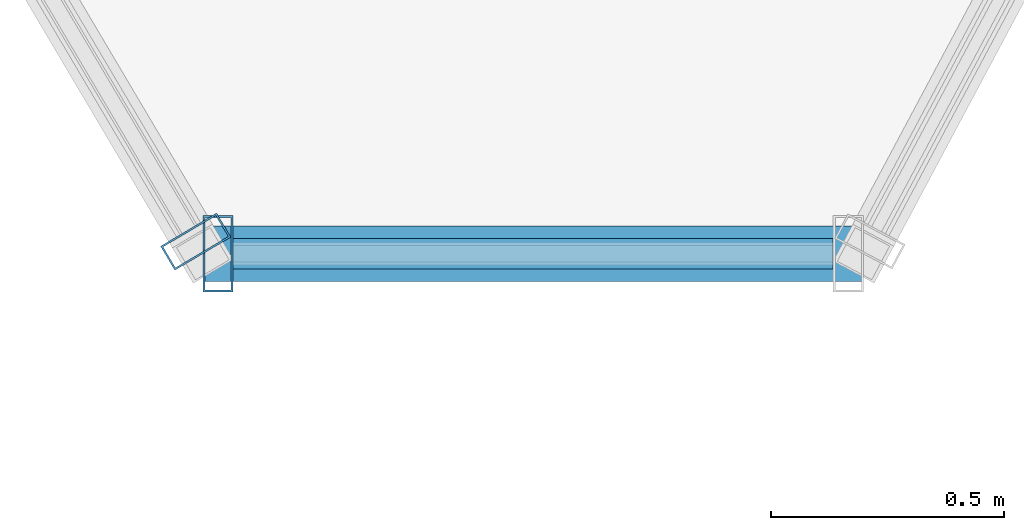
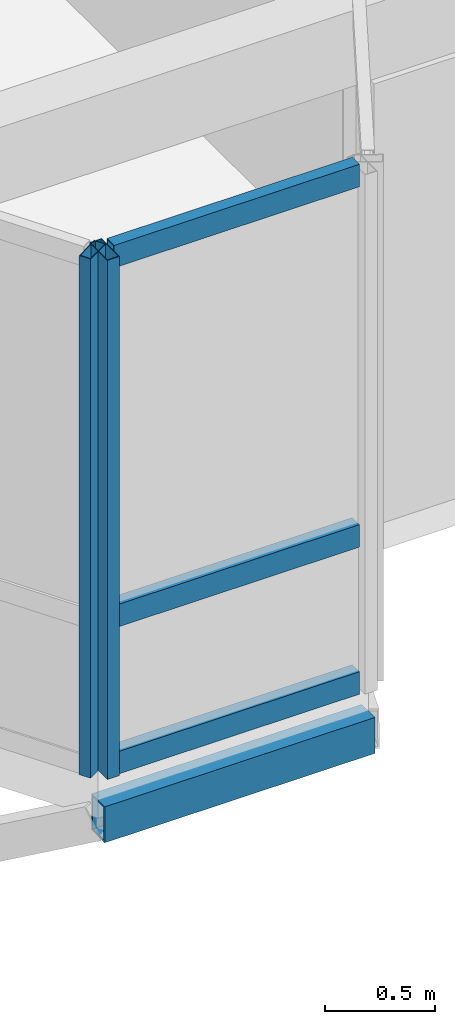
# One storey, part 29 of 70: 6 members, 2 elements without a shape of their own.
"""IFC4 building model written with IfcOpenShell, lengths in metres."""

from ifc_helpers import new_model, si_unit, direction, frame, origin, origin_2d, place, context, subcontext, project, spatial, hollow_rectangle, extrude, material, layer, layer_set, material_profile, profile_set, type_object, element, aggregate, save


model = new_model("IFC4")

# Units and contexts
model_context = context("Model", 3, precision=1e-05, world=origin(), true_north=direction((0.0, 1.0)))
body_context = subcontext(model_context, "Body", "Model", "MODEL_VIEW")
ifc_project = project(units=[si_unit("LENGTHUNIT", "METRE"), si_unit("AREAUNIT", "SQUARE_METRE"), si_unit("VOLUMEUNIT", "CUBIC_METRE"), si_unit("PLANEANGLEUNIT", "RADIAN"), si_unit("MASSUNIT", "GRAM", prefix="KILO"), si_unit("THERMODYNAMICTEMPERATUREUNIT", "KELVIN"), si_unit("POWERUNIT", "WATT")], contexts=[model_context])

# Site, building, storey
site_placement = place(None, origin())
site = spatial("IfcSite", under=ifc_project, at=site_placement, CompositionType="ELEMENT")
building_placement = place(site_placement, origin())
building = spatial("IfcBuilding", under=site, at=building_placement, Name="Tavuni Mirador Residences", CompositionType="ELEMENT")
storey_placement = place(building_placement, frame((0.0, 0.0, 23.39990234375)))
storey = spatial("IfcBuildingStorey", under=building, at=storey_placement, Name="L07", CompositionType="ELEMENT", Elevation=23.39990234375)

# Curtain wall, member
ifc_material_1 = material(Name="Anodised aluminium", Category="aluminium")
ifc_layer_1 = layer(ifc_material_1, 0.175048828125, Name="Anodised aluminium", Category="aluminium")
ifc_layer_set_1 = layer_set([ifc_layer_1], Name="Anodised aluminium")
curtain_wall_type_1 = type_object("IfcCurtainWallType", Name="CWT-MIR-C", PredefinedType="NOTDEFINED", material=ifc_layer_set_1)
curtain_wall_1_placement = place(storey_placement, origin())
curtain_wall_1 = element("IfcCurtainWall", 1, at=curtain_wall_1_placement, inside=storey, type_object=curtain_wall_type_1, Name="CW-MIR-C-S2-L07-M1", PredefinedType="NOTDEFINED")
ifc_material_profile_1 = material_profile(ifc_material_1, hollow_rectangle(XDim=0.06005859375, YDim=0.139892578125, WallThickness=0.00390625, at=origin_2d()), Name="ALU 60x140x4.0", Category="aluminium")
ifc_profile_set_1 = profile_set([ifc_material_profile_1], Name="Anodised aluminium")
member_type_1 = type_object("IfcMemberType", Name="CWM-140", PredefinedType="MULLION", material=ifc_profile_set_1)
member_1_placement = place(storey_placement, frame((33.3447265625, 142.825927734375, 0.0), z_axis=(0.0, 0.0, 1.0), x_axis=(0.509212491254, -0.860640830284, 0.0)))
member_1 = element("IfcMember", 2, at=member_1_placement, type_object=member_type_1, Name="CW-03 mullion 2", PredefinedType="MULLION", context=body_context, shape_type="SweptSolid", body=[
    extrude(hollow_rectangle(XDim=0.06005859375, YDim=0.139892578125, WallThickness=0.00390625, at=origin_2d()), origin(), (0.0, 0.0, 1.0), 2.885009765625),
])
aggregate(curtain_wall_1, [member_1])

# Curtain wall, members
ifc_layer_2 = layer(ifc_material_1, 0.159912109375, Name="Anodised aluminium", Category="aluminium")
ifc_layer_set_2 = layer_set([ifc_layer_2], Name="Anodised aluminium")
curtain_wall_type_2 = type_object("IfcCurtainWallType", Name="CWT-MIR-D", PredefinedType="NOTDEFINED", material=ifc_layer_set_2)
curtain_wall_2_placement = place(storey_placement, origin())
curtain_wall_2 = element("IfcCurtainWall", 3, at=curtain_wall_2_placement, inside=storey, type_object=curtain_wall_type_2, Name="CW-MIR-C-S2-L07-MF", PredefinedType="NOTDEFINED")
ifc_material_profile_2 = material_profile(ifc_material_1, hollow_rectangle(XDim=0.06494140625, YDim=0.1650390625, WallThickness=0.00439453125, at=origin_2d()), Name="ALU 65x165x4.5", Category="aluminium")
ifc_profile_set_2 = profile_set([ifc_material_profile_2], Name="Anodised aluminium")
member_type_2 = type_object("IfcMemberType", Name="CWM-165", PredefinedType="MULLION", material=ifc_profile_set_2)
member_2_placement = place(storey_placement, frame((33.392578125, 142.800048828125, 0.0), z_axis=(0.0, 0.0, 1.0), x_axis=(1.0, 0.0, 0.0)))
member_2 = element("IfcMember", 4, at=member_2_placement, type_object=member_type_2, Name="CW-04 mullion 1", PredefinedType="MULLION", context=body_context, shape_type="SweptSolid", body=[
    extrude(hollow_rectangle(XDim=0.06494140625, YDim=0.1650390625, WallThickness=0.00439453125, at=origin_2d()), origin(), (0.0, 0.0, 1.0), 2.885009765625),
])
ifc_material_profile_3 = material_profile(ifc_material_1, hollow_rectangle(XDim=0.06494140625, YDim=0.125, WallThickness=0.00439453125, at=origin_2d()), Name="ALU 65x125x4.5", Category="aluminium")
ifc_profile_set_3 = profile_set([ifc_material_profile_3], Name="Anodised aluminium")
member_type_3 = type_object("IfcMemberType", Name="CWT-125", PredefinedType="USERDEFINED", material=ifc_profile_set_3)
member_3_placement = place(storey_placement, frame((33.425048828125, 142.800048828125, 0.03271484375), z_axis=(1.0, 0.0, 0.0), x_axis=(0.0, 1.0, 0.0)))
member_3 = element("IfcMember", 5, at=member_3_placement, type_object=member_type_3, Name="CW-04 transom 1.1", ObjectType="TRANSOM", PredefinedType="USERDEFINED", context=body_context, shape_type="SweptSolid", body=[
    extrude(hollow_rectangle(XDim=0.06494140625, YDim=0.125, WallThickness=0.00439453125, at=origin_2d()), origin(), (0.0, 0.0, 1.0), 1.2900390625),
])
member_4_placement = place(storey_placement, frame((33.425048828125, 142.800048828125, 0.85009765625), z_axis=(1.0, 0.0, 0.0), x_axis=(0.0, 1.0, 0.0)))
member_4 = element("IfcMember", 6, at=member_4_placement, type_object=member_type_3, Name="CW-04 transom 1.2", ObjectType="TRANSOM", PredefinedType="USERDEFINED", context=body_context, shape_type="SweptSolid", body=[
    extrude(hollow_rectangle(XDim=0.06494140625, YDim=0.125, WallThickness=0.00439453125, at=origin_2d()), origin(), (0.0, 0.0, 1.0), 1.2900390625),
])
member_5_placement = place(storey_placement, frame((33.425048828125, 142.800048828125, 2.8525390625), z_axis=(1.0, 0.0, 0.0), x_axis=(0.0, 1.0, 0.0)))
member_5 = element("IfcMember", 7, at=member_5_placement, type_object=member_type_3, Name="CW-04 transom 1.3", ObjectType="TRANSOM", PredefinedType="USERDEFINED", context=body_context, shape_type="SweptSolid", body=[
    extrude(hollow_rectangle(XDim=0.06494140625, YDim=0.125, WallThickness=0.00439453125, at=origin_2d()), origin(), (0.0, 0.0, 1.0), 1.2900390625),
])
aggregate(curtain_wall_2, [member_2, member_3, member_4, member_5])

# Member
ifc_material_2 = material(Name="Structural steel S355", Category="steel")
ifc_material_profile_4 = material_profile(ifc_material_2, hollow_rectangle(XDim=0.1201171875, YDim=0.199951171875, WallThickness=0.010009765625, at=origin_2d()), Name="RHS 200x120x10.0", Category="steel")
ifc_profile_set_4 = profile_set([ifc_material_profile_4], Name="Structural steel S355")
member_type_4 = type_object("IfcMemberType", Name="MT-ST-RHS200", PredefinedType="STRUT", material=ifc_profile_set_4)
member_6_placement = place(storey_placement, frame((33.360107421875, 142.800048828125, -0.264892578125), z_axis=(1.0, 0.0, 0.0), x_axis=(0.0, 1.0, 0.0)))
element("IfcMember", 8, at=member_6_placement, inside=storey, type_object=member_type_4, Name="MRIM-MIR-C-S2-L07", PredefinedType="STRUT", context=body_context, shape_type="SweptSolid", body=[
    extrude(hollow_rectangle(XDim=0.1201171875, YDim=0.199951171875, WallThickness=0.010009765625, at=origin_2d()), origin(), (0.0, 0.0, 1.0), 1.419921875),
])

save(model, "model.ifc")
